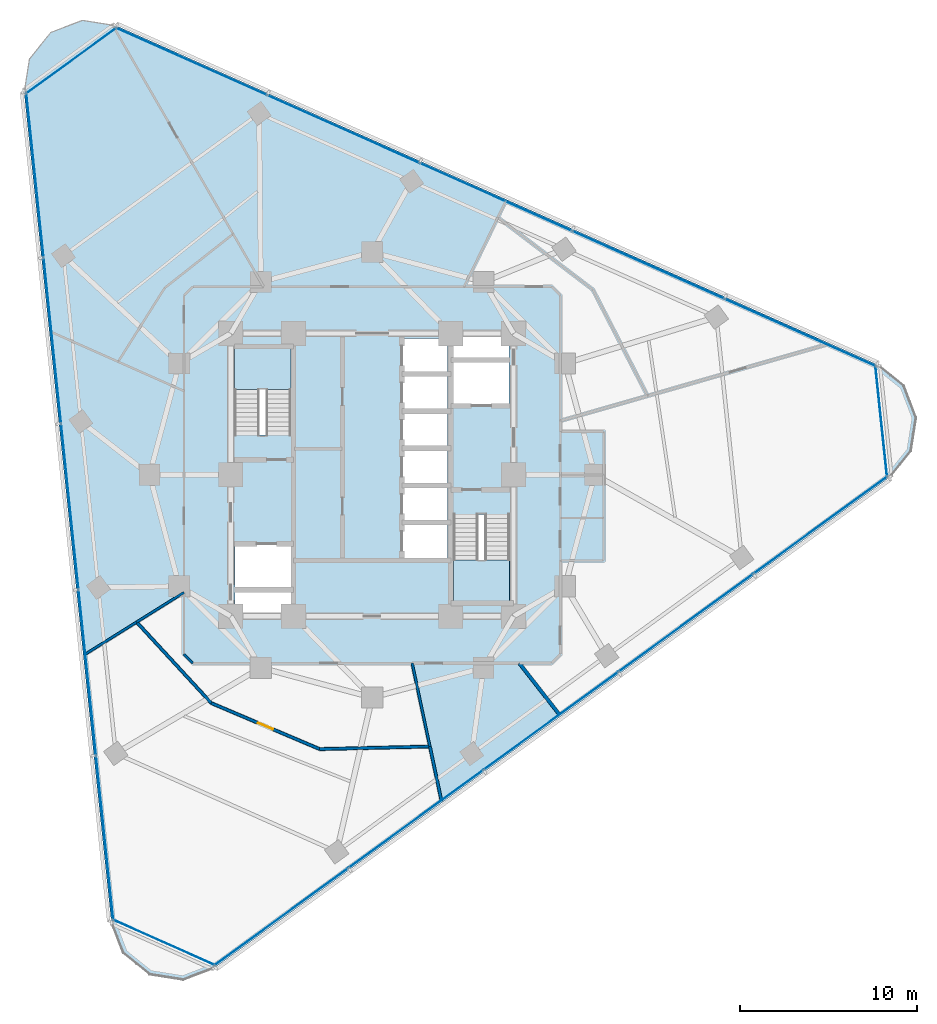
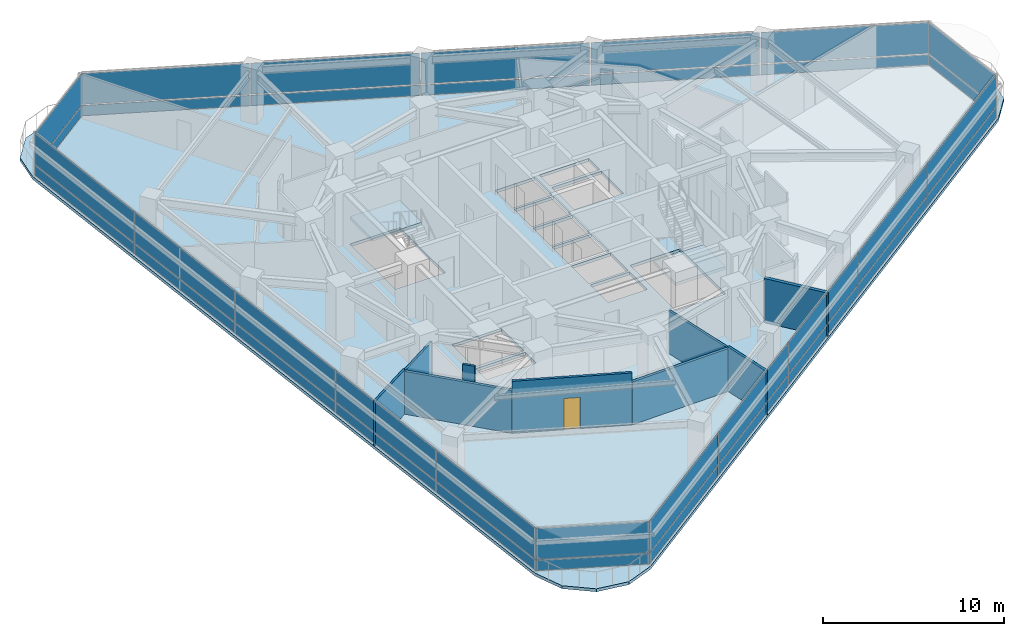
# One storey, part 7 of 14: 36 plates, 9 walls, 3 slabs, 1 door, 1 opening, 8 elements without a shape of their own.
"""IFC4 building model written with IfcOpenShell, lengths in metres."""

from ifc_helpers import new_model, si_unit, direction, frame, frame_2d, origin, origin_2d, place, context, subcontext, project, spatial, polyline, rectangle, outline, extrude, material, layer, layer_set, type_object, element, fill, aggregate, save


model = new_model("IFC4")

# Units and contexts
model_context = context("Model", 3, precision=1e-05, world=origin(), true_north=direction((0.0, 1.0)))
body_context = subcontext(model_context, "Body", "Model", "MODEL_VIEW")
ifc_project = project(units=[si_unit("LENGTHUNIT", "METRE"), si_unit("AREAUNIT", "SQUARE_METRE"), si_unit("VOLUMEUNIT", "CUBIC_METRE"), si_unit("PLANEANGLEUNIT", "RADIAN"), si_unit("MASSUNIT", "GRAM", prefix="KILO")], contexts=[model_context])

# Site, building, storey
site_placement = place(None, origin())
site = spatial("IfcSite", under=ifc_project, at=site_placement, CompositionType="ELEMENT")
building_placement = place(site_placement, origin())
building = spatial("IfcBuilding", under=site, at=building_placement, Name="Terralouvre Media Tower", CompositionType="ELEMENT")
storey_placement = place(building_placement, frame((0.0, 0.0, 154.60009765625)))
storey = spatial("IfcBuildingStorey", under=building, at=storey_placement, Name="L39", CompositionType="ELEMENT", Elevation=154.60009765625)

# Slab
ifc_material_1 = material(Name="Concrete C40/50", Category="concrete")
ifc_layer_1 = layer(ifc_material_1, 0.199951171875, Name="Composite Tower Floor Slab S-TYP200")
ifc_layer_set_1 = layer_set([ifc_layer_1], Name="Concrete C40/50")
slab_type_1 = type_object("IfcSlabType", Name="Composite Tower Floor Slab S-TYP200", PredefinedType="FLOOR", material=ifc_layer_set_1)
slab_1_placement = place(storey_placement, frame((0.0, 0.0, -0.2001953125), z_axis=(0.0, 0.0, 1.0), x_axis=(0.809016994375, 0.587785252292, 0.0)))
element("IfcSlab", 1, at=slab_1_placement, inside=storey, type_object=slab_type_1, Name="L39 Structural Floor Slab", PredefinedType="FLOOR", context=body_context, shape_type="SweptSolid", body=[
    extrude(outline(polyline([(-26.80419921875, -11.775390625), (-27.300048828125, -13.62548828125), (-26.80419921875, -15.475341796875), (-25.449951171875, -16.829833984375), (-23.60009765625, -17.325439453125), (23.60009765625, -17.325439453125), (25.449951171875, -16.829833984375), (26.80419921875, -15.4755859375), (27.300048828125, -13.62548828125), (26.80419921875, -11.775390625), (3.204345703125, 29.100830078125), (1.85009765625, 30.455322265625), (0.0, 30.950927734375), (-1.85009765625, 30.455322265625), (-3.204345703125, 29.100830078125), (-26.80419921875, -11.775390625)]), holes=[polyline([(-7.600830078125, -2.6357421875), (-8.30615234375, -3.6064453125), (-10.8544921875, -1.7548828125), (-10.149169921875, -0.7841796875), (-7.600830078125, -2.6357421875)]), polyline([(-7.4833984375, -2.473876953125), (-10.03173828125, -0.622314453125), (-8.591552734375, 1.359619140625), (-6.043212890625, -0.49169921875), (-7.4833984375, -2.473876953125)]), polyline([(4.366943359375, -1.2197265625), (2.344482421875, 0.24951171875), (3.48486328125, 1.819091796875), (5.50732421875, 0.349609375), (4.366943359375, -1.2197265625)]), polyline([(6.74169921875, 2.048583984375), (5.601318359375, 0.47900390625), (3.578857421875, 1.948486328125), (4.71923828125, 3.51806640625), (6.74169921875, 2.048583984375)]), polyline([(-2.40185546875, 4.52001953125), (-4.974609375, 6.38916015625), (-2.02685546875, 10.446533203125), (0.5458984375, 8.577392578125), (-2.40185546875, 4.52001953125)]), polyline([(6.835693359375, 2.177978515625), (4.813232421875, 3.6474609375), (5.953369140625, 5.217041015625), (7.97607421875, 3.74755859375), (6.835693359375, 2.177978515625)]), polyline([(-0.5458984375, -8.577392578125), (2.40185546875, -4.52001953125), (4.974609375, -6.38916015625), (2.02685546875, -10.446533203125), (-0.5458984375, -8.577392578125)]), polyline([(0.6640625, -6.316650390625), (-1.358642578125, -4.84716796875), (-0.21826171875, -3.277587890625), (1.80419921875, -4.7470703125), (0.6640625, -6.316650390625)]), polyline([(1.8984375, -4.61767578125), (-0.124267578125, -3.148193359375), (1.01611328125, -1.578857421875), (3.03857421875, -3.04833984375), (1.8984375, -4.61767578125)]), polyline([(4.27294921875, -1.349365234375), (3.132568359375, -2.918701171875), (1.110107421875, -1.44921875), (2.25048828125, 0.1201171875), (4.27294921875, -1.349365234375)]), polyline([(8.591552734375, -1.359619140625), (6.043212890625, 0.49169921875), (7.4833984375, 2.473876953125), (10.03173828125, 0.622314453125), (8.591552734375, -1.359619140625)]), polyline([(10.149169921875, 0.7841796875), (7.600830078125, 2.6357421875), (8.30615234375, 3.6064453125), (10.8544921875, 1.7548828125), (10.149169921875, 0.7841796875)])]), origin(), (0.0, 0.0, 1.0), 0.2001953125),
])

# Stair, slab
ifc_material_2 = material(Name="Concrete C45/55", Category="concrete")
stair_type_1 = type_object("IfcStairType", Name="Dogleg Stair Assembly ST-01", PredefinedType="HALF_TURN_STAIR", material=ifc_material_2)
stair_1_placement = place(storey_placement, origin())
stair_1 = element("IfcStair", 2, at=stair_1_placement, inside=storey, type_object=stair_type_1, Name="L39 Core Pressurised Exit Stair ST-01", PredefinedType="HALF_TURN_STAIR")
ifc_material_3 = material(Name="Concrete C45/55", Category="concrete")
ifc_layer_2 = layer(ifc_material_3, 0.199951171875, Name="Reinforced Concrete Stair Half-Landing SL-LD1")
ifc_layer_set_2 = layer_set([ifc_layer_2], Name="Concrete C45/55")
slab_type_2 = type_object("IfcSlabType", Name="Reinforced Concrete Stair Half-Landing SL-LD1", PredefinedType="LANDING", material=ifc_layer_set_2)
slab_2_placement = place(storey_placement, frame((0.0, 0.0, 1.64990234375)))
slab_2 = element("IfcSlab", 3, at=slab_2_placement, type_object=slab_type_2, Name="ST-01 landing 1", PredefinedType="LANDING", context=body_context, shape_type="SweptSolid", body=[
    extrude(outline(polyline([(-4.60009765625, 4.820068359375), (-4.60009765625, 7.260009765625), (-7.780029296875, 7.260009765625), (-7.780029296875, 4.820068359375), (-4.60009765625, 4.820068359375)])), origin(), (0.0, 0.0, 1.0), 0.199951171875),
])
aggregate(stair_1, [slab_2])

ifc_material_4 = material(Name="Concrete C45/55", Category="concrete")
stair_type_2 = type_object("IfcStairType", Name="Dogleg Stair Assembly ST-02", PredefinedType="HALF_TURN_STAIR", material=ifc_material_4)
stair_2_placement = place(storey_placement, origin())
stair_2 = element("IfcStair", 4, at=stair_2_placement, inside=storey, type_object=stair_type_2, Name="L39 Core Pressurised Exit Stair ST-02", PredefinedType="HALF_TURN_STAIR")
slab_3_placement = place(storey_placement, frame((0.0, 0.0, 1.64990234375)))
slab_3 = element("IfcSlab", 5, at=slab_3_placement, type_object=slab_type_2, Name="ST-02 landing 1", PredefinedType="LANDING", context=body_context, shape_type="SweptSolid", body=[
    extrude(outline(polyline([(4.60009765625, -4.820068359375), (4.60009765625, -7.260009765625), (7.780029296875, -7.260009765625), (7.780029296875, -4.820068359375), (4.60009765625, -4.820068359375)])), origin(), (0.0, 0.0, 1.0), 0.199951171875),
])
aggregate(stair_2, [slab_3])

# Curtain wall, plates
ifc_material_5 = material(Name="Low-iron laminated double glazing with solar-control coating", Category="glass")
ifc_layer_3 = layer(ifc_material_5, 0.1650390625, Name="Rounded Wind-Corner Curved Glazing CW-04")
ifc_layer_set_3 = layer_set([ifc_layer_3], Name="Low-iron laminated double glazing with solar-control coating")
curtain_wall_type_1 = type_object("IfcCurtainWallType", Name="Rounded Wind-Corner Curved Glazing CW-04", PredefinedType="NOTDEFINED", material=ifc_layer_set_3)
curtain_wall_1_placement = place(storey_placement, origin())
curtain_wall_1 = element("IfcCurtainWall", 6, at=curtain_wall_1_placement, inside=storey, type_object=curtain_wall_type_1, Name="L39 Rounded Wind-Corner Curtain Wall C0", PredefinedType="NOTDEFINED")
ifc_material_6 = material(Name="Low-iron laminated double glazing with solar-control coating", Category="glass")
ifc_layer_4 = layer(ifc_material_6, 0.0400390625, Name="Rounded Corner Laminated Vision Panel CWP-03")
ifc_layer_set_4 = layer_set([ifc_layer_4], Name="Low-iron laminated double glazing with solar-control coating")
plate_type_1 = type_object("IfcPlateType", Name="Rounded Corner Laminated Vision Panel CWP-03", PredefinedType="CURTAIN_PANEL", material=ifc_layer_set_4)
plate_1_placement = place(storey_placement, frame((-11.779541015625, -26.45703125, 0.074951171875), z_axis=(0.0, 0.0, 1.0), x_axis=(0.913545408199, -0.406736754128, 0.0)))
plate_1 = element("IfcPlate", 7, at=plate_1_placement, type_object=plate_type_1, Name="CW-04 panel 1.1", PredefinedType="CURTAIN_PANEL", context=body_context, shape_type="SweptSolid", body=[
    extrude(rectangle(XDim=6.258544921875, YDim=0.035888671875, at=origin_2d()), origin(), (0.0, 0.0, 1.0), 0.6875),
])
plate_2_placement = place(storey_placement, frame((-11.779541015625, -26.45703125, 0.83740234375), z_axis=(0.0, 0.0, 1.0), x_axis=(0.913545408199, -0.406736754128, 0.0)))
plate_2 = element("IfcPlate", 8, at=plate_2_placement, type_object=plate_type_1, Name="CW-04 panel 1.2", PredefinedType="CURTAIN_PANEL", context=body_context, shape_type="SweptSolid", body=[
    extrude(rectangle(XDim=6.258544921875, YDim=0.035888671875, at=origin_2d()), origin(), (0.0, 0.0, 1.0), 2.08740234375),
])
aggregate(curtain_wall_1, [plate_1, plate_2])

curtain_wall_2_placement = place(storey_placement, origin())
curtain_wall_2 = element("IfcCurtainWall", 9, at=curtain_wall_2_placement, inside=storey, type_object=curtain_wall_type_1, Name="L39 Rounded Wind-Corner Curtain Wall C1", PredefinedType="NOTDEFINED")
plate_3_placement = place(storey_placement, frame((28.80224609375, 3.02734375, 0.074951171875), z_axis=(0.0, 0.0, 1.0), x_axis=(-0.10452850319, 0.994521891172, 0.0)))
plate_3 = element("IfcPlate", 10, at=plate_3_placement, type_object=plate_type_1, Name="CW-04 panel 1.1", PredefinedType="CURTAIN_PANEL", context=body_context, shape_type="SweptSolid", body=[
    extrude(rectangle(XDim=6.258544921875, YDim=0.035888671875, at=origin_2d()), origin(), (0.0, 0.0, 1.0), 0.6875),
])
plate_4_placement = place(storey_placement, frame((28.80224609375, 3.02734375, 0.83740234375), z_axis=(0.0, 0.0, 1.0), x_axis=(-0.10452850319, 0.994521891172, 0.0)))
plate_4 = element("IfcPlate", 11, at=plate_4_placement, type_object=plate_type_1, Name="CW-04 panel 1.2", PredefinedType="CURTAIN_PANEL", context=body_context, shape_type="SweptSolid", body=[
    extrude(rectangle(XDim=6.258544921875, YDim=0.035888671875, at=origin_2d()), origin(), (0.0, 0.0, 1.0), 2.08740234375),
])
aggregate(curtain_wall_2, [plate_3, plate_4])

curtain_wall_3_placement = place(storey_placement, origin())
curtain_wall_3 = element("IfcCurtainWall", 12, at=curtain_wall_3_placement, inside=storey, type_object=curtain_wall_type_1, Name="L39 Rounded Wind-Corner Curtain Wall C2", PredefinedType="NOTDEFINED")
plate_5_placement = place(storey_placement, frame((-17.022705078125, 23.429931640625, 0.074951171875), z_axis=(0.0, 0.0, 1.0), x_axis=(-0.809017438344, -0.587784641221, 0.0)))
plate_5 = element("IfcPlate", 13, at=plate_5_placement, type_object=plate_type_1, Name="CW-04 panel 1.1", PredefinedType="CURTAIN_PANEL", context=body_context, shape_type="SweptSolid", body=[
    extrude(rectangle(XDim=6.258544921875, YDim=0.035888671875, at=origin_2d()), origin(), (0.0, 0.0, 1.0), 0.6875),
])
plate_6_placement = place(storey_placement, frame((-17.022705078125, 23.429931640625, 0.83740234375), z_axis=(0.0, 0.0, 1.0), x_axis=(-0.809017438344, -0.587784641221, 0.0)))
plate_6 = element("IfcPlate", 14, at=plate_6_placement, type_object=plate_type_1, Name="CW-04 panel 1.2", PredefinedType="CURTAIN_PANEL", context=body_context, shape_type="SweptSolid", body=[
    extrude(rectangle(XDim=6.258544921875, YDim=0.035888671875, at=origin_2d()), origin(), (0.0, 0.0, 1.0), 2.08740234375),
])
aggregate(curtain_wall_3, [plate_5, plate_6])

ifc_material_7 = material(Name="Low-iron laminated double glazing with solar-control coating", Category="glass")
ifc_layer_5 = layer(ifc_material_7, 0.1650390625, Name="Production Studio Tower Curtain Wall CW-03")
ifc_layer_set_5 = layer_set([ifc_layer_5], Name="Low-iron laminated double glazing with solar-control coating")
curtain_wall_type_2 = type_object("IfcCurtainWallType", Name="Production Studio Tower Curtain Wall CW-03", PredefinedType="NOTDEFINED", material=ifc_layer_set_5)
curtain_wall_4_placement = place(storey_placement, origin())
curtain_wall_4 = element("IfcCurtainWall", 15, at=curtain_wall_4_placement, inside=storey, type_object=curtain_wall_type_2, Name="L39 Facade Curtain Wall F0", PredefinedType="NOTDEFINED")
ifc_material_8 = material(Name="Low-iron laminated double glazing with solar-control coating", Category="glass")
ifc_layer_6 = layer(ifc_material_8, 0.035888671875, Name="Vision Double-Glazed Unit CWP-01")
ifc_layer_set_6 = layer_set([ifc_layer_6], Name="Low-iron laminated double glazing with solar-control coating")
plate_type_2 = type_object("IfcPlateType", Name="Vision Double-Glazed Unit CWP-01", PredefinedType="CURTAIN_PANEL", material=ifc_layer_set_6)
plate_7_placement = place(storey_placement, frame((-5.14599609375, -25.005859375, 0.074951171875), z_axis=(0.0, 0.0, 1.0), x_axis=(0.809016917383, 0.587785358263, 0.0)))
plate_7 = element("IfcPlate", 16, at=plate_7_placement, type_object=plate_type_2, Name="CW-03 panel 1.1", PredefinedType="CURTAIN_PANEL", context=body_context, shape_type="SweptSolid", body=[
    extrude(rectangle(XDim=9.327392578125, YDim=0.035888671875, at=origin_2d()), origin(), (0.0, 0.0, 1.0), 0.6875),
])
plate_8_placement = place(storey_placement, frame((-5.14599609375, -25.005859375, 0.83740234375), z_axis=(0.0, 0.0, 1.0), x_axis=(0.809016917383, 0.587785358263, 0.0)))
plate_8 = element("IfcPlate", 17, at=plate_8_placement, type_object=plate_type_2, Name="CW-03 panel 1.2", PredefinedType="CURTAIN_PANEL", context=body_context, shape_type="SweptSolid", body=[
    extrude(rectangle(XDim=9.327392578125, YDim=0.035888671875, at=origin_2d()), origin(), (0.0, 0.0, 1.0), 2.08740234375),
])
plate_9_placement = place(storey_placement, frame((2.47607421875, -19.46826171875, 0.074951171875), z_axis=(0.0, 0.0, 1.0), x_axis=(0.809016917383, 0.587785358263, 0.0)))
plate_9 = element("IfcPlate", 18, at=plate_9_placement, type_object=plate_type_2, Name="CW-03 panel 2.1", PredefinedType="CURTAIN_PANEL", context=body_context, shape_type="SweptSolid", body=[
    extrude(rectangle(XDim=9.364990234375, YDim=0.035888671875, at=origin_2d()), origin(), (0.0, 0.0, 1.0), 0.6875),
])
plate_10_placement = place(storey_placement, frame((2.47607421875, -19.46826171875, 0.83740234375), z_axis=(0.0, 0.0, 1.0), x_axis=(0.809016917383, 0.587785358263, 0.0)))
plate_10 = element("IfcPlate", 19, at=plate_10_placement, type_object=plate_type_2, Name="CW-03 panel 2.2", PredefinedType="CURTAIN_PANEL", context=body_context, shape_type="SweptSolid", body=[
    extrude(rectangle(XDim=9.364990234375, YDim=0.035888671875, at=origin_2d()), origin(), (0.0, 0.0, 1.0), 2.08740234375),
])
plate_11_placement = place(storey_placement, frame((10.113037109375, -13.91943359375, 0.074951171875), z_axis=(0.0, 0.0, 1.0), x_axis=(0.809016917383, 0.587785358263, 0.0)))
plate_11 = element("IfcPlate", 20, at=plate_11_placement, type_object=plate_type_2, Name="CW-03 panel 3.1", PredefinedType="CURTAIN_PANEL", context=body_context, shape_type="SweptSolid", body=[
    extrude(rectangle(XDim=9.364990234375, YDim=0.035888671875, at=origin_2d()), origin(), (0.0, 0.0, 1.0), 0.6875),
])
plate_12_placement = place(storey_placement, frame((10.113037109375, -13.91943359375, 0.83740234375), z_axis=(0.0, 0.0, 1.0), x_axis=(0.809016917383, 0.587785358263, 0.0)))
plate_12 = element("IfcPlate", 21, at=plate_12_placement, type_object=plate_type_2, Name="CW-03 panel 3.2", PredefinedType="CURTAIN_PANEL", context=body_context, shape_type="SweptSolid", body=[
    extrude(rectangle(XDim=9.364990234375, YDim=0.035888671875, at=origin_2d()), origin(), (0.0, 0.0, 1.0), 2.08740234375),
])
plate_13_placement = place(storey_placement, frame((17.750244140625, -8.370849609375, 0.074951171875), z_axis=(0.0, 0.0, 1.0), x_axis=(0.809016917383, 0.587785358263, 0.0)))
plate_13 = element("IfcPlate", 22, at=plate_13_placement, type_object=plate_type_2, Name="CW-03 panel 4.1", PredefinedType="CURTAIN_PANEL", context=body_context, shape_type="SweptSolid", body=[
    extrude(rectangle(XDim=9.364990234375, YDim=0.035888671875, at=origin_2d()), origin(), (0.0, 0.0, 1.0), 0.6875),
])
plate_14_placement = place(storey_placement, frame((17.750244140625, -8.370849609375, 0.83740234375), z_axis=(0.0, 0.0, 1.0), x_axis=(0.809016917383, 0.587785358263, 0.0)))
plate_14 = element("IfcPlate", 23, at=plate_14_placement, type_object=plate_type_2, Name="CW-03 panel 4.2", PredefinedType="CURTAIN_PANEL", context=body_context, shape_type="SweptSolid", body=[
    extrude(rectangle(XDim=9.364990234375, YDim=0.035888671875, at=origin_2d()), origin(), (0.0, 0.0, 1.0), 2.08740234375),
])
plate_15_placement = place(storey_placement, frame((25.3720703125, -2.833251953125, 0.074951171875), z_axis=(0.0, 0.0, 1.0), x_axis=(0.809016917383, 0.587785358263, 0.0)))
plate_15 = element("IfcPlate", 24, at=plate_15_placement, type_object=plate_type_2, Name="CW-03 panel 5.1", PredefinedType="CURTAIN_PANEL", context=body_context, shape_type="SweptSolid", body=[
    extrude(rectangle(XDim=9.327392578125, YDim=0.035888671875, at=origin_2d()), origin(), (0.0, 0.0, 1.0), 0.6875),
])
plate_16_placement = place(storey_placement, frame((25.3720703125, -2.833251953125, 0.83740234375), z_axis=(0.0, 0.0, 1.0), x_axis=(0.809016917383, 0.587785358263, 0.0)))
plate_16 = element("IfcPlate", 25, at=plate_16_placement, type_object=plate_type_2, Name="CW-03 panel 5.2", PredefinedType="CURTAIN_PANEL", context=body_context, shape_type="SweptSolid", body=[
    extrude(rectangle(XDim=9.327392578125, YDim=0.035888671875, at=origin_2d()), origin(), (0.0, 0.0, 1.0), 2.08740234375),
])
aggregate(curtain_wall_4, [plate_7, plate_8, plate_9, plate_10, plate_11, plate_12, plate_13, plate_14, plate_15, plate_16])

curtain_wall_5_placement = place(storey_placement, origin())
curtain_wall_5 = element("IfcCurtainWall", 26, at=curtain_wall_5_placement, inside=storey, type_object=curtain_wall_type_2, Name="L39 Facade Curtain Wall F1", PredefinedType="NOTDEFINED")
plate_17_placement = place(storey_placement, frame((24.228759765625, 8.04638671875, 0.074951171875), z_axis=(0.0, 0.0, 1.0), x_axis=(-0.913545469547, 0.406736616337, 0.0)))
plate_17 = element("IfcPlate", 27, at=plate_17_placement, type_object=plate_type_2, Name="CW-03 panel 1.1", PredefinedType="CURTAIN_PANEL", context=body_context, shape_type="SweptSolid", body=[
    extrude(rectangle(XDim=9.327392578125, YDim=0.035888671875, at=origin_2d()), origin(), (0.0, 0.0, 1.0), 0.6875),
])
plate_18_placement = place(storey_placement, frame((24.228759765625, 8.04638671875, 0.83740234375), z_axis=(0.0, 0.0, 1.0), x_axis=(-0.913545469547, 0.406736616337, 0.0)))
plate_18 = element("IfcPlate", 28, at=plate_18_placement, type_object=plate_type_2, Name="CW-03 panel 1.2", PredefinedType="CURTAIN_PANEL", context=body_context, shape_type="SweptSolid", body=[
    extrude(rectangle(XDim=9.327392578125, YDim=0.035888671875, at=origin_2d()), origin(), (0.0, 0.0, 1.0), 2.08740234375),
])
plate_19_placement = place(storey_placement, frame((15.6220703125, 11.87841796875, 0.074951171875), z_axis=(0.0, 0.0, 1.0), x_axis=(-0.913545469547, 0.406736616337, 0.0)))
plate_19 = element("IfcPlate", 29, at=plate_19_placement, type_object=plate_type_2, Name="CW-03 panel 2.1", PredefinedType="CURTAIN_PANEL", context=body_context, shape_type="SweptSolid", body=[
    extrude(rectangle(XDim=9.364990234375, YDim=0.035888671875, at=origin_2d()), origin(), (0.0, 0.0, 1.0), 0.6875),
])
plate_20_placement = place(storey_placement, frame((15.6220703125, 11.87841796875, 0.83740234375), z_axis=(0.0, 0.0, 1.0), x_axis=(-0.913545469547, 0.406736616337, 0.0)))
plate_20 = element("IfcPlate", 30, at=plate_20_placement, type_object=plate_type_2, Name="CW-03 panel 2.2", PredefinedType="CURTAIN_PANEL", context=body_context, shape_type="SweptSolid", body=[
    extrude(rectangle(XDim=9.364990234375, YDim=0.035888671875, at=origin_2d()), origin(), (0.0, 0.0, 1.0), 2.08740234375),
])
plate_21_placement = place(storey_placement, frame((6.998046875, 15.718017578125, 0.074951171875), z_axis=(0.0, 0.0, 1.0), x_axis=(-0.913545469547, 0.406736616337, 0.0)))
plate_21 = element("IfcPlate", 31, at=plate_21_placement, type_object=plate_type_2, Name="CW-03 panel 3.1", PredefinedType="CURTAIN_PANEL", context=body_context, shape_type="SweptSolid", body=[
    extrude(rectangle(XDim=9.364990234375, YDim=0.035888671875, at=origin_2d()), origin(), (0.0, 0.0, 1.0), 0.6875),
])
plate_22_placement = place(storey_placement, frame((6.998046875, 15.718017578125, 0.83740234375), z_axis=(0.0, 0.0, 1.0), x_axis=(-0.913545469547, 0.406736616337, 0.0)))
plate_22 = element("IfcPlate", 32, at=plate_22_placement, type_object=plate_type_2, Name="CW-03 panel 3.2", PredefinedType="CURTAIN_PANEL", context=body_context, shape_type="SweptSolid", body=[
    extrude(rectangle(XDim=9.364990234375, YDim=0.035888671875, at=origin_2d()), origin(), (0.0, 0.0, 1.0), 2.08740234375),
])
plate_23_placement = place(storey_placement, frame((-1.625732421875, 19.5576171875, 0.074951171875), z_axis=(0.0, 0.0, 1.0), x_axis=(-0.913545469547, 0.406736616337, 0.0)))
plate_23 = element("IfcPlate", 33, at=plate_23_placement, type_object=plate_type_2, Name="CW-03 panel 4.1", PredefinedType="CURTAIN_PANEL", context=body_context, shape_type="SweptSolid", body=[
    extrude(rectangle(XDim=9.364990234375, YDim=0.035888671875, at=origin_2d()), origin(), (0.0, 0.0, 1.0), 0.6875),
])
plate_24_placement = place(storey_placement, frame((-1.625732421875, 19.5576171875, 0.83740234375), z_axis=(0.0, 0.0, 1.0), x_axis=(-0.913545469547, 0.406736616337, 0.0)))
plate_24 = element("IfcPlate", 34, at=plate_24_placement, type_object=plate_type_2, Name="CW-03 panel 4.2", PredefinedType="CURTAIN_PANEL", context=body_context, shape_type="SweptSolid", body=[
    extrude(rectangle(XDim=9.364990234375, YDim=0.035888671875, at=origin_2d()), origin(), (0.0, 0.0, 1.0), 2.08740234375),
])
plate_25_placement = place(storey_placement, frame((-10.232421875, 23.3896484375, 0.074951171875), z_axis=(0.0, 0.0, 1.0), x_axis=(-0.913545469547, 0.406736616337, 0.0)))
plate_25 = element("IfcPlate", 35, at=plate_25_placement, type_object=plate_type_2, Name="CW-03 panel 5.1", PredefinedType="CURTAIN_PANEL", context=body_context, shape_type="SweptSolid", body=[
    extrude(rectangle(XDim=9.327392578125, YDim=0.035888671875, at=origin_2d()), origin(), (0.0, 0.0, 1.0), 0.6875),
])
plate_26_placement = place(storey_placement, frame((-10.232421875, 23.3896484375, 0.83740234375), z_axis=(0.0, 0.0, 1.0), x_axis=(-0.913545469547, 0.406736616337, 0.0)))
plate_26 = element("IfcPlate", 36, at=plate_26_placement, type_object=plate_type_2, Name="CW-03 panel 5.2", PredefinedType="CURTAIN_PANEL", context=body_context, shape_type="SweptSolid", body=[
    extrude(rectangle(XDim=9.327392578125, YDim=0.035888671875, at=origin_2d()), origin(), (0.0, 0.0, 1.0), 2.08740234375),
])
aggregate(curtain_wall_5, [plate_17, plate_18, plate_19, plate_20, plate_21, plate_22, plate_23, plate_24, plate_25, plate_26])

curtain_wall_6_placement = place(storey_placement, origin())
curtain_wall_6 = element("IfcCurtainWall", 37, at=curtain_wall_6_placement, inside=storey, type_object=curtain_wall_type_2, Name="L39 Facade Curtain Wall F2", PredefinedType="NOTDEFINED")
plate_27_placement = place(storey_placement, frame((-19.082763671875, 16.95947265625, 0.074951171875), z_axis=(0.0, 0.0, 1.0), x_axis=(0.104528376236, -0.994521904516, 0.0)))
plate_27 = element("IfcPlate", 38, at=plate_27_placement, type_object=plate_type_2, Name="CW-03 panel 1.1", PredefinedType="CURTAIN_PANEL", context=body_context, shape_type="SweptSolid", body=[
    extrude(rectangle(XDim=9.327392578125, YDim=0.035888671875, at=origin_2d()), origin(), (0.0, 0.0, 1.0), 0.6875),
])
plate_28_placement = place(storey_placement, frame((-19.082763671875, 16.95947265625, 0.83740234375), z_axis=(0.0, 0.0, 1.0), x_axis=(0.104528376236, -0.994521904516, 0.0)))
plate_28 = element("IfcPlate", 39, at=plate_28_placement, type_object=plate_type_2, Name="CW-03 panel 1.2", PredefinedType="CURTAIN_PANEL", context=body_context, shape_type="SweptSolid", body=[
    extrude(rectangle(XDim=9.327392578125, YDim=0.035888671875, at=origin_2d()), origin(), (0.0, 0.0, 1.0), 2.08740234375),
])
plate_29_placement = place(storey_placement, frame((-18.097900390625, 7.58984375, 0.074951171875), z_axis=(0.0, 0.0, 1.0), x_axis=(0.104528376236, -0.994521904516, 0.0)))
plate_29 = element("IfcPlate", 40, at=plate_29_placement, type_object=plate_type_2, Name="CW-03 panel 2.1", PredefinedType="CURTAIN_PANEL", context=body_context, shape_type="SweptSolid", body=[
    extrude(rectangle(XDim=9.364990234375, YDim=0.035888671875, at=origin_2d()), origin(), (0.0, 0.0, 1.0), 0.6875),
])
plate_30_placement = place(storey_placement, frame((-18.097900390625, 7.58984375, 0.83740234375), z_axis=(0.0, 0.0, 1.0), x_axis=(0.104528376236, -0.994521904516, 0.0)))
plate_30 = element("IfcPlate", 41, at=plate_30_placement, type_object=plate_type_2, Name="CW-03 panel 2.2", PredefinedType="CURTAIN_PANEL", context=body_context, shape_type="SweptSolid", body=[
    extrude(rectangle(XDim=9.364990234375, YDim=0.035888671875, at=origin_2d()), origin(), (0.0, 0.0, 1.0), 2.08740234375),
])
plate_31_placement = place(storey_placement, frame((-17.111328125, -1.79833984375, 0.074951171875), z_axis=(0.0, 0.0, 1.0), x_axis=(0.104528376236, -0.994521904516, 0.0)))
plate_31 = element("IfcPlate", 42, at=plate_31_placement, type_object=plate_type_2, Name="CW-03 panel 3.1", PredefinedType="CURTAIN_PANEL", context=body_context, shape_type="SweptSolid", body=[
    extrude(rectangle(XDim=9.364990234375, YDim=0.035888671875, at=origin_2d()), origin(), (0.0, 0.0, 1.0), 0.6875),
])
plate_32_placement = place(storey_placement, frame((-17.111328125, -1.79833984375, 0.83740234375), z_axis=(0.0, 0.0, 1.0), x_axis=(0.104528376236, -0.994521904516, 0.0)))
plate_32 = element("IfcPlate", 43, at=plate_32_placement, type_object=plate_type_2, Name="CW-03 panel 3.2", PredefinedType="CURTAIN_PANEL", context=body_context, shape_type="SweptSolid", body=[
    extrude(rectangle(XDim=9.364990234375, YDim=0.035888671875, at=origin_2d()), origin(), (0.0, 0.0, 1.0), 2.08740234375),
])
plate_33_placement = place(storey_placement, frame((-16.12451171875, -11.186767578125, 0.074951171875), z_axis=(0.0, 0.0, 1.0), x_axis=(0.104528376236, -0.994521904516, 0.0)))
plate_33 = element("IfcPlate", 44, at=plate_33_placement, type_object=plate_type_2, Name="CW-03 panel 4.1", PredefinedType="CURTAIN_PANEL", context=body_context, shape_type="SweptSolid", body=[
    extrude(rectangle(XDim=9.364990234375, YDim=0.035888671875, at=origin_2d()), origin(), (0.0, 0.0, 1.0), 0.6875),
])
plate_34_placement = place(storey_placement, frame((-16.12451171875, -11.186767578125, 0.83740234375), z_axis=(0.0, 0.0, 1.0), x_axis=(0.104528376236, -0.994521904516, 0.0)))
plate_34 = element("IfcPlate", 45, at=plate_34_placement, type_object=plate_type_2, Name="CW-03 panel 4.2", PredefinedType="CURTAIN_PANEL", context=body_context, shape_type="SweptSolid", body=[
    extrude(rectangle(XDim=9.364990234375, YDim=0.035888671875, at=origin_2d()), origin(), (0.0, 0.0, 1.0), 2.08740234375),
])
plate_35_placement = place(storey_placement, frame((-15.1396484375, -20.556396484375, 0.074951171875), z_axis=(0.0, 0.0, 1.0), x_axis=(0.104528376236, -0.994521904516, 0.0)))
plate_35 = element("IfcPlate", 46, at=plate_35_placement, type_object=plate_type_2, Name="CW-03 panel 5.1", PredefinedType="CURTAIN_PANEL", context=body_context, shape_type="SweptSolid", body=[
    extrude(rectangle(XDim=9.327392578125, YDim=0.035888671875, at=origin_2d()), origin(), (0.0, 0.0, 1.0), 0.6875),
])
plate_36_placement = place(storey_placement, frame((-15.1396484375, -20.556396484375, 0.83740234375), z_axis=(0.0, 0.0, 1.0), x_axis=(0.104528376236, -0.994521904516, 0.0)))
plate_36 = element("IfcPlate", 47, at=plate_36_placement, type_object=plate_type_2, Name="CW-03 panel 5.2", PredefinedType="CURTAIN_PANEL", context=body_context, shape_type="SweptSolid", body=[
    extrude(rectangle(XDim=9.327392578125, YDim=0.035888671875, at=origin_2d()), origin(), (0.0, 0.0, 1.0), 2.08740234375),
])
aggregate(curtain_wall_6, [plate_27, plate_28, plate_29, plate_30, plate_31, plate_32, plate_33, plate_34, plate_35, plate_36])

# Walls
ifc_material_9 = material(Name="Fire-rated gypsum board drywall partition")
ifc_layer_7 = layer(ifc_material_9, 0.199951171875, Name="Fire-Rated Shaft and Lobby Partition FW-200")
ifc_layer_set_7 = layer_set([ifc_layer_7], Name="Fire-rated gypsum board drywall partition")
wall_type_1 = type_object("IfcWallType", Name="Fire-Rated Shaft and Lobby Partition FW-200", PredefinedType="SOLIDWALL", material=ifc_layer_set_7)
wall_1_placement = place(storey_placement, frame((10.623779296875, -13.597900390625, 0.0), z_axis=(0.0, 0.0, 1.0), x_axis=(-0.615579447743, 0.788074833704, 0.0)))
element("IfcWall", 48, at=wall_1_placement, inside=storey, type_object=wall_type_1, Name="L39 Interior Partition 029", PredefinedType="SOLIDWALL", context=body_context, shape_type="SweptSolid", body=[
    extrude(rectangle(XDim=3.74072265625, YDim=0.199951171875, at=frame_2d((1.870361328125, 0.0))), origin(), (0.0, 0.0, 1.0), 2.974853515625),
])
ifc_material_10 = material(Name="Fire-rated gypsum board drywall partition")
ifc_layer_8 = layer(ifc_material_10, 0.135009765625, Name="Newsroom Acoustic Partition PT-135")
ifc_layer_set_8 = layer_set([ifc_layer_8], Name="Fire-rated gypsum board drywall partition")
wall_type_2 = type_object("IfcWallType", Name="Newsroom Acoustic Partition PT-135", PredefinedType="PARTITIONING", material=ifc_layer_set_8)
wall_2_placement = place(storey_placement, frame((-10.64990234375, -10.14990234375, 0.0), z_axis=(0.0, 0.0, 1.0), x_axis=(0.707106781187, -0.707106781187, 0.0)))
element("IfcWall", 49, at=wall_2_placement, inside=storey, type_object=wall_type_2, Name="L39 Interior Partition 003", PredefinedType="PARTITIONING", context=body_context, shape_type="SweptSolid", body=[
    extrude(rectangle(XDim=0.70703125, YDim=0.135009765625, at=frame_2d((0.353515625, 0.0))), origin(), (0.0, 0.0, 1.0), 3.5),
])
wall_3_placement = place(storey_placement, frame((-16.271728515625, -10.16748046875, 0.0), z_axis=(0.0, 0.0, 1.0), x_axis=(0.848097115085, 0.529840809474, 0.0)))
element("IfcWall", 50, at=wall_3_placement, inside=storey, type_object=wall_type_2, Name="L39 Interior Partition 020", PredefinedType="PARTITIONING", context=body_context, shape_type="SweptSolid", body=[
    extrude(rectangle(XDim=3.4697265625, YDim=0.135009765625, at=frame_2d((1.73486328125, 0.0))), origin(), (0.0, 0.0, 1.0), 2.98486328125),
])
wall_4_placement = place(storey_placement, frame((-13.3291015625, -8.3291015625, 0.0), z_axis=(0.0, 0.0, 1.0), x_axis=(0.848059079617, 0.529901686617, 0.0)))
element("IfcWall", 51, at=wall_4_placement, inside=storey, type_object=wall_type_2, Name="L39 Interior Partition 021", PredefinedType="PARTITIONING", context=body_context, shape_type="SweptSolid", body=[
    extrude(rectangle(XDim=3.1591796875, YDim=0.135009765625, at=frame_2d((1.57958984375, 0.0))), origin(), (0.0, 0.0, 1.0), 2.885009765625),
])
wall_5_placement = place(storey_placement, frame((3.26806640625, -15.373046875, 0.0), z_axis=(0.0, 0.0, 1.0), x_axis=(-0.207954296991, 0.978138543542, 0.0)))
element("IfcWall", 52, at=wall_5_placement, inside=storey, type_object=wall_type_2, Name="L39 Interior Partition 028", PredefinedType="PARTITIONING", context=body_context, shape_type="SweptSolid", body=[
    extrude(rectangle(XDim=4.82861328125, YDim=0.135009765625, at=frame_2d((2.414306640625, 0.0))), origin(), (0.0, 0.0, 1.0), 2.885009765625),
])
ifc_material_11 = material(Name="Fire-rated gypsum board drywall partition")
ifc_layer_9 = layer(ifc_material_11, 0.159912109375, Name="Studio Acoustic Rated Partition PT-160")
ifc_layer_set_9 = layer_set([ifc_layer_9], Name="Fire-rated gypsum board drywall partition")
wall_type_3 = type_object("IfcWallType", Name="Studio Acoustic Rated Partition PT-160", PredefinedType="PARTITIONING", material=ifc_layer_set_9)
wall_6_placement = place(storey_placement, frame((3.26806640625, -15.373046875, 0.0), z_axis=(0.0, 0.0, 1.0), x_axis=(-0.99972988351, -0.023241342836, 0.0)))
element("IfcWall", 53, at=wall_6_placement, inside=storey, type_object=wall_type_3, Name="L39 Interior Partition 024", PredefinedType="PARTITIONING", context=body_context, shape_type="SweptSolid", body=[
    extrude(rectangle(XDim=6.23974609375, YDim=0.159912109375, at=frame_2d((3.119873046875, 0.0))), origin(), (0.0, 0.0, 1.0), 2.885009765625),
])

# Wall, opening, door
wall_7_placement = place(storey_placement, frame((-2.969970703125, -15.51806640625, 0.0), z_axis=(0.0, 0.0, 1.0), x_axis=(-0.920506675175, 0.390726836752, 0.0)))
wall_7 = element("IfcWall", 54, at=wall_7_placement, inside=storey, type_object=wall_type_3, Name="L39 Interior Partition 025", PredefinedType="PARTITIONING", context=body_context, shape_type="SweptSolid", body=[
    extrude(rectangle(XDim=6.659423828125, YDim=0.159912109375, at=frame_2d((3.32958984375, 0.0))), origin(), (0.0, 0.0, 1.0), 3.5),
])
opening_placement = place(wall_7_placement, frame((2.86962890625, 0.0, 0.0)))
opening = element("IfcOpeningElement", 55, at=opening_placement, cuts=wall_7, Name="Opening ID-03-92X210", PredefinedType="OPENING", context=body_context, shape_type="SweptSolid", body=[
    extrude(rectangle(XDim=0.919921875, YDim=2.10009765625, at=frame_2d((0.4599609375, 1.050048828125))), frame((0.0, 0.08984375, 0.0), z_axis=(0.0, -1.0, 0.0), x_axis=(1.0, 0.0, 0.0)), (0.0, 0.0, 1.0), 0.179931640625),
])
ifc_material_12 = material(Name="Engineered hardwood acoustic timber leaf", Category="wood")
door_type = type_object("IfcDoorType", Name="Accessible Restroom and Suite Door ID-03 (920x2100)", OperationType="NOTDEFINED", PredefinedType="DOOR", material=ifc_material_12)
door_placement = place(opening_placement, origin())
door = element("IfcDoor", 56, at=door_placement, inside=storey, type_object=door_type, Name="L39 Director Master Control Room 2 Door", OperationType="SINGLE_SWING_RIGHT", OverallHeight=2.10009765625, OverallWidth=0.919921875, PredefinedType="DOOR", context=body_context, shape_type="SweptSolid", body=[
    extrude(rectangle(XDim=0.919921875, YDim=2.10009765625, at=frame_2d((0.4599609375, 1.050048828125))), frame((0.0, 0.02490234375, 0.0), z_axis=(0.0, -1.0, 0.0), x_axis=(1.0, 0.0, 0.0)), (0.0, 0.0, 1.0), 0.050048828125),
])
fill(opening, door)

# Walls
wall_8_placement = place(storey_placement, frame((-9.10009765625, -12.916015625, 0.0), z_axis=(0.0, 0.0, 1.0), x_axis=(-0.677841155448, 0.735208384052, 0.0)))
element("IfcWall", 57, at=wall_8_placement, inside=storey, type_object=wall_type_3, Name="L39 Interior Partition 026", PredefinedType="PARTITIONING", context=body_context, shape_type="SweptSolid", body=[
    extrude(rectangle(XDim=6.239013671875, YDim=0.159912109375, at=frame_2d((3.11962890625, 0.0))), origin(), (0.0, 0.0, 1.0), 2.885009765625),
])
wall_9_placement = place(storey_placement, frame((3.925048828125, -18.46484375, 0.0), z_axis=(0.0, 0.0, 1.0), x_axis=(-0.207851365584, 0.978160421314, 0.0)))
element("IfcWall", 58, at=wall_9_placement, inside=storey, type_object=wall_type_3, Name="L39 Interior Partition 027", PredefinedType="PARTITIONING", context=body_context, shape_type="SweptSolid", body=[
    extrude(rectangle(XDim=3.160888671875, YDim=0.159912109375, at=frame_2d((1.58056640625, 0.0))), origin(), (0.0, 0.0, 1.0), 2.98486328125),
])

save(model, "model.ifc")
